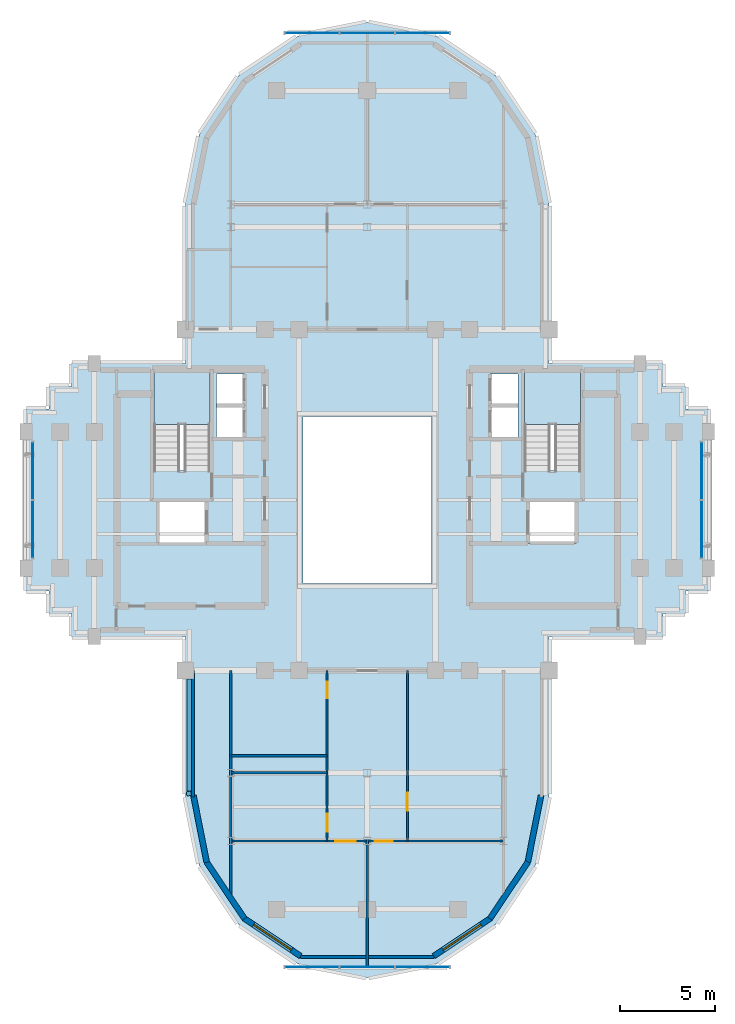
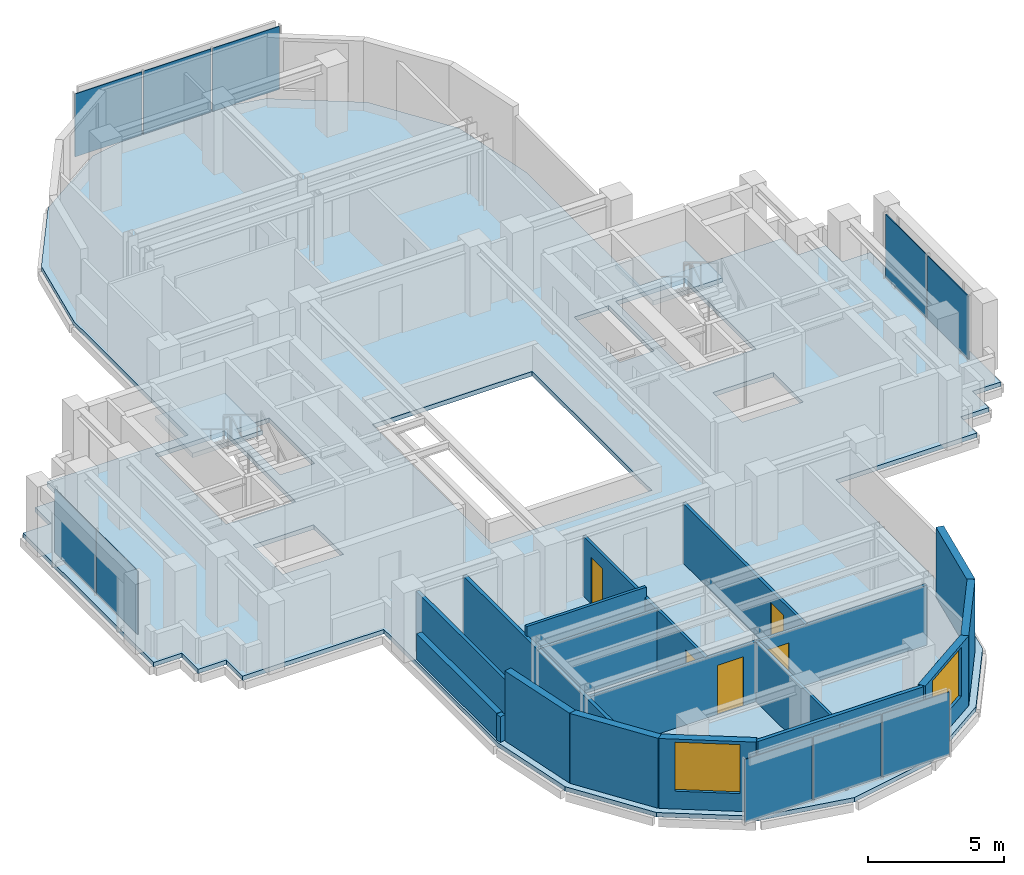
# One storey, part 5 of 11: 17 walls, 10 plates, 5 doors, 3 slabs, 2 windows, 7 openings, 6 elements without a shape of their own.
"""IFC4 building model written with IfcOpenShell, lengths in metres."""

from ifc_helpers import new_model, si_unit, direction, frame, frame_2d, origin, origin_2d, place, context, subcontext, project, spatial, polyline, rectangle, outline, extrude, source, transform, mapped, material, layer, layer_set, type_object, element, fill, aggregate, save


model = new_model("IFC4")

# Units and contexts
model_context = context("Model", 3, precision=1e-05, world=origin(), true_north=direction((0.0, 1.0)))
body_context = subcontext(model_context, "Body", "Model", "MODEL_VIEW")
ifc_project = project(units=[si_unit("LENGTHUNIT", "METRE"), si_unit("AREAUNIT", "SQUARE_METRE"), si_unit("VOLUMEUNIT", "CUBIC_METRE"), si_unit("PLANEANGLEUNIT", "RADIAN"), si_unit("MASSUNIT", "GRAM", prefix="KILO")], contexts=[model_context])

# Site, building, storey
site_placement = place(None, origin())
site = spatial("IfcSite", under=ifc_project, at=site_placement, CompositionType="ELEMENT")
building_placement = place(site_placement, origin())
building = spatial("IfcBuilding", under=site, at=building_placement, Name="Keilestroom Media Tower", CompositionType="ELEMENT")
storey_placement = place(building_placement, frame((0.0, 0.0, 211.39990234375)))
storey = spatial("IfcBuildingStorey", under=building, at=storey_placement, Name="L58", CompositionType="ELEMENT", Elevation=211.39990234375)

# Slab
ifc_material_1 = material(Name="Concrete C50/60", Category="concrete")
ifc_layer_1 = layer(ifc_material_1, 0.199951171875)
ifc_layer_set_1 = layer_set([ifc_layer_1], Name="Concrete C50/60")
slab_type_1 = type_object("IfcSlabType", Name="Composite-Floor-Slab-200", PredefinedType="FLOOR", material=ifc_layer_set_1)
slab_1_placement = place(storey_placement, frame((0.0, 0.0, -0.199951171875)))
element("IfcSlab", 1, at=slab_1_placement, inside=storey, type_object=slab_type_1, Name="L58 Structural Composite Floor Slab", PredefinedType="FLOOR", context=body_context, shape_type="SweptSolid", body=[
    extrude(outline(polyline([(18.0, -4.800048828125), (18.0, 4.800048828125), (16.800048828125, 4.800048828125), (16.800048828125, 6.0), (15.60009765625, 6.0), (15.60009765625, 7.199951171875), (9.60009765625, 7.199951171875), (9.60009765625, 9.60009765625), (9.60009765625, 15.60009765625), (8.869140625, 19.273681640625), (6.7880859375, 22.38818359375), (3.673828125, 24.46923828125), (0.0, 25.199951171875), (-3.673828125, 24.46923828125), (-6.7880859375, 22.38818359375), (-8.869140625, 19.273681640625), (-9.60009765625, 15.60009765625), (-9.60009765625, 9.60009765625), (-9.60009765625, 7.199951171875), (-15.60009765625, 7.199951171875), (-15.60009765625, 6.0), (-16.800048828125, 6.0), (-16.800048828125, 4.800048828125), (-18.0, 4.800048828125), (-18.0, -4.800048828125), (-16.800048828125, -4.800048828125), (-16.800048828125, -6.0), (-15.60009765625, -6.0), (-15.60009765625, -7.199951171875), (-9.60009765625, -7.199951171875), (-9.60009765625, -9.60009765625), (-9.60009765625, -15.60009765625), (-8.869140625, -19.273681640625), (-6.7880859375, -22.38818359375), (-3.673828125, -24.46923828125), (0.0, -25.199951171875), (3.673828125, -24.46923828125), (6.7880859375, -22.38818359375), (8.869140625, -19.273681640625), (9.60009765625, -15.60009765625), (9.60009765625, -9.60009765625), (9.60009765625, -7.199951171875), (15.60009765625, -7.199951171875), (15.60009765625, -6.0), (16.800048828125, -6.0), (16.800048828125, -4.800048828125), (18.0, -4.800048828125)]), holes=[polyline([(-8.300048828125, 1.544921875), (-11.260009765625, 1.544921875), (-11.260009765625, 6.760009765625), (-8.300048828125, 6.760009765625), (-8.300048828125, 1.544921875)]), polyline([(-8.47998046875, -2.280029296875), (-11.050048828125, -2.280029296875), (-11.050048828125, -0.10009765625), (-8.47998046875, -0.10009765625), (-8.47998046875, -2.280029296875)]), polyline([(-6.47998046875, 3.300048828125), (-7.949951171875, 3.300048828125), (-7.949951171875, 6.64990234375), (-6.47998046875, 6.64990234375), (-6.47998046875, 3.300048828125)]), polyline([(3.39990234375, -4.39990234375), (-3.39990234375, -4.39990234375), (-3.39990234375, 4.39990234375), (3.39990234375, 4.39990234375), (3.39990234375, -4.39990234375)]), polyline([(7.949951171875, 3.300048828125), (6.47998046875, 3.300048828125), (6.47998046875, 6.64990234375), (7.949951171875, 6.64990234375), (7.949951171875, 3.300048828125)]), polyline([(11.260009765625, 1.544921875), (8.300048828125, 1.544921875), (8.300048828125, 6.760009765625), (11.260009765625, 6.760009765625), (11.260009765625, 1.544921875)]), polyline([(11.050048828125, -2.280029296875), (8.47998046875, -2.280029296875), (8.47998046875, -0.10009765625), (11.050048828125, -0.10009765625), (11.050048828125, -2.280029296875)])]), origin(), (0.0, 0.0, 1.0), 0.199951171875),
])

# Stair, slab
ifc_material_2 = material(Name="Concrete C45/55", Category="concrete")
stair_type = type_object("IfcStairType", Name="Enclosed-Dog-Leg-Stair-ST-CORE", PredefinedType="HALF_TURN_STAIR", material=ifc_material_2)
stair_1_placement = place(storey_placement, origin())
stair_1 = element("IfcStair", 2, at=stair_1_placement, inside=storey, type_object=stair_type, Name="L58 West Core Escape Stair ST-1", PredefinedType="HALF_TURN_STAIR")
ifc_layer_2 = layer(ifc_material_2, 0.199951171875)
ifc_layer_set_2 = layer_set([ifc_layer_2], Name="Concrete C45/55")
slab_type_2 = type_object("IfcSlabType", Name="Stair-Intermediate-And-Top-Landing-Slab-200", PredefinedType="LANDING", material=ifc_layer_set_2)
slab_2_placement = place(storey_placement, frame((0.0, 0.0, 1.5)))
slab_2 = element("IfcSlab", 3, at=slab_2_placement, type_object=slab_type_2, Name="ST-1 landing 1", PredefinedType="LANDING", context=body_context, shape_type="SweptSolid", body=[
    extrude(outline(polyline([(-8.300048828125, 3.99609375), (-8.300048828125, 6.760009765625), (-11.260009765625, 6.760009765625), (-11.260009765625, 3.99609375), (-8.300048828125, 3.99609375)])), origin(), (0.0, 0.0, 1.0), 0.2001953125),
])
aggregate(stair_1, [slab_2])

stair_2_placement = place(storey_placement, origin())
stair_2 = element("IfcStair", 4, at=stair_2_placement, inside=storey, type_object=stair_type, Name="L58 East Core Escape Stair ST-2", PredefinedType="HALF_TURN_STAIR")
slab_3_placement = place(storey_placement, frame((0.0, 0.0, 1.5)))
slab_3 = element("IfcSlab", 5, at=slab_3_placement, type_object=slab_type_2, Name="ST-2 landing 1", PredefinedType="LANDING", context=body_context, shape_type="SweptSolid", body=[
    extrude(outline(polyline([(11.260009765625, 3.99609375), (11.260009765625, 6.760009765625), (8.300048828125, 6.760009765625), (8.300048828125, 3.99609375), (11.260009765625, 3.99609375)])), origin(), (0.0, 0.0, 1.0), 0.2001953125),
])
aggregate(stair_2, [slab_3])

# Curtain wall, plates
ifc_material_3 = material(Name="Anodised Aluminium Alloy", Category="aluminium")
curtain_wall_type_1 = type_object("IfcCurtainWallType", Name="Unitised-Curtain-Wall-CW-6", PredefinedType="NOTDEFINED", material=ifc_material_3)
curtain_wall_1_placement = place(storey_placement, origin())
curtain_wall_1 = element("IfcCurtainWall", 6, at=curtain_wall_1_placement, inside=storey, type_object=curtain_wall_type_1, Name="L58 Curtain Wall CW-6 CW-L58-LN-1", PredefinedType="NOTDEFINED")
ifc_material_4 = material(Name="Curved-Facet Triple Glazed Unit", Category="glass")
ifc_layer_3 = layer(ifc_material_4, 0.033935546875)
ifc_layer_set_3 = layer_set([ifc_layer_3], Name="Curved-Facet Triple Glazed Unit")
plate_type_1 = type_object("IfcPlateType", Name="Insulated-Curtain-Wall-Glazing-Panel-CW-6", PredefinedType="CURTAIN_PANEL", material=ifc_layer_set_3)
shared_shape_1 = source(origin(), body_context, "Body", "SweptSolid", [
    extrude(rectangle(XDim=2.84375, YDim=0.033935546875, at=origin_2d()), origin(), (0.0, 0.0, 1.0), 2.833984375),
])
plate_1_placement = place(storey_placement, frame((-2.9169921875, 24.64990234375, 0.072998046875), z_axis=(0.0, 0.0, 1.0), x_axis=(1.0, 0.0, 0.0)))
plate_1 = element("IfcPlate", 7, at=plate_1_placement, type_object=plate_type_1, Name="CW-6 Unitised Glazing 00", PredefinedType="CURTAIN_PANEL", context=body_context, shape_type="MappedRepresentation", body=[
    mapped(shared_shape_1, transform((0.0, 0.0, 0.0), x_axis=(1.0, 0.0, 0.0), y_axis=(0.0, 1.0, 0.0), z_axis=(0.0, 0.0, 1.0), scale=1.0)),
])
plate_2_placement = place(storey_placement, frame((2.9169921875, 24.64990234375, 0.072998046875), z_axis=(0.0, 0.0, 1.0), x_axis=(1.0, 0.0, 0.0)))
plate_2 = element("IfcPlate", 8, at=plate_2_placement, type_object=plate_type_1, Name="CW-6 Unitised Glazing 02", PredefinedType="CURTAIN_PANEL", context=body_context, shape_type="MappedRepresentation", body=[
    mapped(shared_shape_1, transform((0.0, 0.0, 0.0), x_axis=(1.0, 0.0, 0.0), y_axis=(0.0, 1.0, 0.0), z_axis=(0.0, 0.0, 1.0), scale=1.0)),
])

curtain_wall_2_placement = place(storey_placement, origin())
curtain_wall_2 = element("IfcCurtainWall", 9, at=curtain_wall_2_placement, inside=storey, type_object=curtain_wall_type_1, Name="L58 Curtain Wall CW-6 CW-L58-LS-1", PredefinedType="NOTDEFINED")
plate_3_placement = place(storey_placement, frame((-2.9169921875, -24.64990234375, 0.072998046875), z_axis=(0.0, 0.0, 1.0), x_axis=(1.0, 0.0, 0.0)))
plate_3 = element("IfcPlate", 10, at=plate_3_placement, type_object=plate_type_1, Name="CW-6 Unitised Glazing 00", PredefinedType="CURTAIN_PANEL", context=body_context, shape_type="MappedRepresentation", body=[
    mapped(shared_shape_1, transform((0.0, 0.0, 0.0), x_axis=(1.0, 0.0, 0.0), y_axis=(0.0, 1.0, 0.0), z_axis=(0.0, 0.0, 1.0), scale=1.0)),
])
plate_4_placement = place(storey_placement, frame((2.9169921875, -24.64990234375, 0.072998046875), z_axis=(0.0, 0.0, 1.0), x_axis=(1.0, 0.0, 0.0)))
plate_4 = element("IfcPlate", 11, at=plate_4_placement, type_object=plate_type_1, Name="CW-6 Unitised Glazing 02", PredefinedType="CURTAIN_PANEL", context=body_context, shape_type="MappedRepresentation", body=[
    mapped(shared_shape_1, transform((0.0, 0.0, 0.0), x_axis=(1.0, 0.0, 0.0), y_axis=(0.0, 1.0, 0.0), z_axis=(0.0, 0.0, 1.0), scale=1.0)),
])

# Plate
shared_shape_2 = source(origin(), body_context, "Body", "SweptSolid", [
    extrude(rectangle(XDim=2.876220703125, YDim=0.033935546875, at=origin_2d()), origin(), (0.0, 0.0, 1.0), 2.833984375),
])
plate_5_placement = place(storey_placement, frame((0.0, 24.64990234375, 0.072998046875), z_axis=(0.0, 0.0, 1.0), x_axis=(1.0, 0.0, 0.0)))
plate_5 = element("IfcPlate", 12, at=plate_5_placement, type_object=plate_type_1, Name="CW-6 Unitised Glazing 01", PredefinedType="CURTAIN_PANEL", context=body_context, shape_type="MappedRepresentation", body=[
    mapped(shared_shape_2, transform((0.0, 0.0, 0.0), x_axis=(1.0, 0.0, 0.0), y_axis=(0.0, 1.0, 0.0), z_axis=(0.0, 0.0, 1.0), scale=1.0)),
])

aggregate(curtain_wall_1, [plate_1, plate_5, plate_2])

plate_6_placement = place(storey_placement, frame((0.0, -24.64990234375, 0.072998046875), z_axis=(0.0, 0.0, 1.0), x_axis=(1.0, 0.0, 0.0)))
plate_6 = element("IfcPlate", 13, at=plate_6_placement, type_object=plate_type_1, Name="CW-6 Unitised Glazing 01", PredefinedType="CURTAIN_PANEL", context=body_context, shape_type="MappedRepresentation", body=[
    mapped(shared_shape_2, transform((0.0, 0.0, 0.0), x_axis=(1.0, 0.0, 0.0), y_axis=(0.0, 1.0, 0.0), z_axis=(0.0, 0.0, 1.0), scale=1.0)),
])

aggregate(curtain_wall_2, [plate_3, plate_6, plate_4])

# Curtain wall, plates
curtain_wall_type_2 = type_object("IfcCurtainWallType", Name="Unitised-Curtain-Wall-CW-3", PredefinedType="NOTDEFINED", material=ifc_material_3)
curtain_wall_3_placement = place(storey_placement, origin())
curtain_wall_3 = element("IfcCurtainWall", 14, at=curtain_wall_3_placement, inside=storey, type_object=curtain_wall_type_2, Name="L58 Curtain Wall CW-3 CW-L58-W-1", PredefinedType="NOTDEFINED")
ifc_material_5 = material(Name="Triple Glazed Acoustic Low-E Unit", Category="glass")
ifc_layer_4 = layer(ifc_material_5, 0.0380859375)
ifc_layer_set_4 = layer_set([ifc_layer_4], Name="Triple Glazed Acoustic Low-E Unit")
plate_type_2 = type_object("IfcPlateType", Name="Insulated-Curtain-Wall-Glazing-Panel-CW-3", PredefinedType="CURTAIN_PANEL", material=ifc_layer_set_4)
shared_shape_3 = source(origin(), body_context, "Body", "SweptSolid", [
    extrude(rectangle(XDim=3.025390625, YDim=0.0380859375, at=origin_2d()), origin(), (0.0, 0.0, 1.0), 2.833984375),
])
plate_7_placement = place(storey_placement, frame((-17.64990234375, -1.541259765625, 0.072998046875), z_axis=(0.0, 0.0, 1.0), x_axis=(0.0, 1.0, 0.0)))
plate_7 = element("IfcPlate", 15, at=plate_7_placement, type_object=plate_type_2, Name="CW-3 Unitised Glazing 00", PredefinedType="CURTAIN_PANEL", context=body_context, shape_type="MappedRepresentation", body=[
    mapped(shared_shape_3, transform((0.0, 0.0, 0.0), x_axis=(1.0, 0.0, 0.0), y_axis=(0.0, 1.0, 0.0), z_axis=(0.0, 0.0, 1.0), scale=1.0)),
])
plate_8_placement = place(storey_placement, frame((-17.64990234375, 1.541259765625, 0.072998046875), z_axis=(0.0, 0.0, 1.0), x_axis=(0.0, 1.0, 0.0)))
plate_8 = element("IfcPlate", 16, at=plate_8_placement, type_object=plate_type_2, Name="CW-3 Unitised Glazing 01", PredefinedType="CURTAIN_PANEL", context=body_context, shape_type="MappedRepresentation", body=[
    mapped(shared_shape_3, transform((0.0, 0.0, 0.0), x_axis=(1.0, 0.0, 0.0), y_axis=(0.0, 1.0, 0.0), z_axis=(0.0, 0.0, 1.0), scale=1.0)),
])
aggregate(curtain_wall_3, [plate_7, plate_8])

curtain_wall_4_placement = place(storey_placement, origin())
curtain_wall_4 = element("IfcCurtainWall", 17, at=curtain_wall_4_placement, inside=storey, type_object=curtain_wall_type_2, Name="L58 Curtain Wall CW-3 CW-L58-E-1", PredefinedType="NOTDEFINED")
plate_9_placement = place(storey_placement, frame((17.64990234375, -1.541259765625, 0.072998046875), z_axis=(0.0, 0.0, 1.0), x_axis=(0.0, 1.0, 0.0)))
plate_9 = element("IfcPlate", 18, at=plate_9_placement, type_object=plate_type_2, Name="CW-3 Unitised Glazing 00", PredefinedType="CURTAIN_PANEL", context=body_context, shape_type="MappedRepresentation", body=[
    mapped(shared_shape_3, transform((0.0, 0.0, 0.0), x_axis=(1.0, 0.0, 0.0), y_axis=(0.0, 1.0, 0.0), z_axis=(0.0, 0.0, 1.0), scale=1.0)),
])
plate_10_placement = place(storey_placement, frame((17.64990234375, 1.541259765625, 0.072998046875), z_axis=(0.0, 0.0, 1.0), x_axis=(0.0, 1.0, 0.0)))
plate_10 = element("IfcPlate", 19, at=plate_10_placement, type_object=plate_type_2, Name="CW-3 Unitised Glazing 01", PredefinedType="CURTAIN_PANEL", context=body_context, shape_type="MappedRepresentation", body=[
    mapped(shared_shape_3, transform((0.0, 0.0, 0.0), x_axis=(1.0, 0.0, 0.0), y_axis=(0.0, 1.0, 0.0), z_axis=(0.0, 0.0, 1.0), scale=1.0)),
])
aggregate(curtain_wall_4, [plate_9, plate_10])

# Walls
ifc_material_6 = material(Name="Precast concrete C40/50", Category="concrete")
ifc_layer_5 = layer(ifc_material_6, 0.300048828125)
ifc_layer_set_5 = layer_set([ifc_layer_5], Name="Precast concrete C40/50")
wall_type_1 = type_object("IfcWallType", Name="Exterior-Masonry-Spandrel-Wall-300", PredefinedType="SOLIDWALL", material=ifc_layer_set_5)
for number, where, z_axis, x_axis, name in (
    (20, (-9.1748046875, -15.585205078125, 0.0), (0.0, 0.0, 1.0), (0.195114232679, -0.980780523974, 0.0), "L58 Lobe Facet Precast Frame Wall 07"),
    (21, (-8.48193359375, -19.097412109375, 0.0), (0.0, 0.0, 1.0), (0.555574187116, -0.831466970246, 0.0), "L58 Lobe Facet Precast Frame Wall 08"),
):
    element("IfcWall", number, at=place(storey_placement, frame(where, z_axis=z_axis, x_axis=x_axis)), inside=storey, type_object=wall_type_1, Name=name, PredefinedType="SOLIDWALL", context=body_context, shape_type="SweptSolid", body=[
        extrude(rectangle(XDim=3.608642578125, YDim=0.300048828125, at=frame_2d((1.80419921875, 0.0))), origin(), (0.0, 0.0, 1.0), 3.14013671875),
    ])

# Wall, opening, window
wall_1_placement = place(storey_placement, frame((-6.497802734375, -22.0771484375, 0.0), z_axis=(0.0, 0.0, 1.0), x_axis=(0.8314749531, -0.555562239868, 0.0)))
wall_1 = element("IfcWall", 22, at=wall_1_placement, inside=storey, type_object=wall_type_1, Name="L58 Lobe Facet Precast Frame Wall 09", PredefinedType="SOLIDWALL", context=body_context, shape_type="SweptSolid", body=[
    extrude(rectangle(XDim=3.59326171875, YDim=0.300048828125, at=frame_2d((1.796630859375, 0.0))), origin(), (0.0, 0.0, 1.0), 3.14013671875),
])
opening_1_placement = place(wall_1_placement, frame((0.596923828125, 0.0, 0.800048828125)))
opening_1 = element("IfcOpeningElement", 23, at=opening_1_placement, cuts=wall_1, Name="Opening WN-02", PredefinedType="OPENING", context=body_context, shape_type="SweptSolid", body=[
    extrude(rectangle(XDim=2.39990234375, YDim=2.199951171875, at=frame_2d((1.199951171875, 1.10009765625))), frame((0.0, 0.16015625, 0.0), z_axis=(0.0, -1.0, 0.0), x_axis=(1.0, 0.0, 0.0)), (0.0, 0.0, 1.0), 0.320068359375),
])
ifc_material_7 = material(Name="Triple Glazed Low-E Window Unit", Category="glass")
window_type = type_object("IfcWindowType", Name="Recessed-Punched-Window-WN-02", PartitioningType="DOUBLE_PANEL_VERTICAL", PredefinedType="WINDOW", material=ifc_material_7)
shared_shape_4 = source(origin(), body_context, "Body", "SweptSolid", [
    extrude(rectangle(XDim=2.39990234375, YDim=2.199951171875, at=frame_2d((1.199951171875, 1.10009765625))), frame((0.0, 0.030029296875, 0.0), z_axis=(0.0, -1.0, 0.0), x_axis=(1.0, 0.0, 0.0)), (0.0, 0.0, 1.0), 0.06005859375),
])
window_1_placement = place(opening_1_placement, origin())
window_1 = element("IfcWindow", 24, at=window_1_placement, inside=storey, type_object=window_type, Name="L58 Bedroom Lobe Window WN-02 EWL-L58-LCHK-09", OverallHeight=2.199951171875, OverallWidth=2.39990234375, PartitioningType="SINGLE_PANEL", PredefinedType="WINDOW", context=body_context, shape_type="MappedRepresentation", body=[
    mapped(shared_shape_4, transform((0.0, 0.0, 0.0), x_axis=(1.0, 0.0, 0.0), y_axis=(0.0, 1.0, 0.0), z_axis=(0.0, 0.0, 1.0), scale=1.0)),
])
fill(opening_1, window_1)

wall_2_placement = place(storey_placement, frame((3.510009765625, -24.073486328125, 0.0), z_axis=(0.0, 0.0, 1.0), x_axis=(0.8314749531, 0.555562239868, 0.0)))
wall_2 = element("IfcWall", 25, at=wall_2_placement, inside=storey, type_object=wall_type_1, Name="L58 Lobe Facet Precast Frame Wall 10", PredefinedType="SOLIDWALL", context=body_context, shape_type="SweptSolid", body=[
    extrude(rectangle(XDim=3.59326171875, YDim=0.300048828125, at=frame_2d((1.796630859375, 0.0))), origin(), (0.0, 0.0, 1.0), 3.14013671875),
])
opening_2_placement = place(wall_2_placement, frame((0.596923828125, 0.0, 0.800048828125)))
opening_2 = element("IfcOpeningElement", 26, at=opening_2_placement, cuts=wall_2, Name="Opening WN-02", PredefinedType="OPENING", context=body_context, shape_type="SweptSolid", body=[
    extrude(rectangle(XDim=2.39990234375, YDim=2.199951171875, at=frame_2d((1.199951171875, 1.10009765625))), frame((0.0, 0.16015625, 0.0), z_axis=(0.0, -1.0, 0.0), x_axis=(1.0, 0.0, 0.0)), (0.0, 0.0, 1.0), 0.320068359375),
])
window_2_placement = place(opening_2_placement, origin())
window_2 = element("IfcWindow", 27, at=window_2_placement, inside=storey, type_object=window_type, Name="L58 Bedroom Lobe Window WN-02 EWL-L58-LCHK-10", OverallHeight=2.199951171875, OverallWidth=2.39990234375, PartitioningType="SINGLE_PANEL", PredefinedType="WINDOW", context=body_context, shape_type="MappedRepresentation", body=[
    mapped(shared_shape_4, transform((0.0, 0.0, 0.0), x_axis=(1.0, 0.0, 0.0), y_axis=(0.0, 1.0, 0.0), z_axis=(0.0, 0.0, 1.0), scale=1.0)),
])
fill(opening_2, window_2)

# Walls
for number, where, z_axis, x_axis, name in (
    (28, (6.47705078125, -22.097900390625, 0.0), (0.0, 0.0, 1.0), (0.555574187116, 0.831466970246, 0.0), "L58 Lobe Facet Precast Frame Wall 11"),
    (29, (8.470703125, -19.12451171875, 0.0), (0.0, 0.0, 1.0), (0.195114232679, 0.980780523974, 0.0), "L58 Lobe Facet Precast Frame Wall 12"),
):
    element("IfcWall", number, at=place(storey_placement, frame(where, z_axis=z_axis, x_axis=x_axis)), inside=storey, type_object=wall_type_1, Name=name, PredefinedType="SOLIDWALL", context=body_context, shape_type="SweptSolid", body=[
        extrude(rectangle(XDim=3.608642578125, YDim=0.300048828125, at=frame_2d((1.80419921875, 0.0))), origin(), (0.0, 0.0, 1.0), 3.14013671875),
    ])

# Wall, openings, doors
ifc_material_8 = material(Name="Gypsum Plasterboard & Steel Stud", Category="steel")
ifc_layer_6 = layer(ifc_material_8, 0.1201171875)
ifc_layer_set_6 = layer_set([ifc_layer_6], Name="Gypsum Plasterboard & Steel Stud")
wall_type_2 = type_object("IfcWallType", Name="Interior-Partition-Wall-120", PredefinedType="PARTITIONING", material=ifc_layer_set_6)
wall_3_placement = place(storey_placement, frame((-2.1201171875, -18.0, 0.0), z_axis=(0.0, 0.0, 1.0), x_axis=(0.0, 1.0, 0.0)))
wall_3 = element("IfcWall", 30, at=wall_3_placement, inside=storey, type_object=wall_type_2, Name="L58 Interior Wall WP-L58-FW-S-HW", PredefinedType="PARTITIONING", context=body_context, shape_type="SweptSolid", body=[
    extrude(rectangle(XDim=9.0, YDim=0.1201171875, at=frame_2d((4.5, 0.0))), origin(), (0.0, 0.0, 1.0), 2.690185546875),
])
opening_3_placement = place(wall_3_placement, frame((7.550048828125, 0.0, 0.0)))
opening_3 = element("IfcOpeningElement", 31, at=opening_3_placement, cuts=wall_3, Name="Opening DI-05", PredefinedType="OPENING", context=body_context, shape_type="SweptSolid", body=[
    extrude(rectangle(XDim=0.85009765625, YDim=2.10009765625, at=frame_2d((0.425048828125, 1.050048828125))), frame((0.0, 0.070068359375, 0.0), z_axis=(0.0, -1.0, 0.0), x_axis=(1.0, 0.0, 0.0)), (0.0, 0.0, 1.0), 0.14013671875),
])
opening_4_placement = place(wall_3_placement, frame((0.5, 0.0, 0.0)))
opening_4 = element("IfcOpeningElement", 32, at=opening_4_placement, cuts=wall_3, Name="Opening DI-03", PredefinedType="OPENING", context=body_context, shape_type="SweptSolid", body=[
    extrude(rectangle(XDim=0.949951171875, YDim=2.14990234375, at=frame_2d((0.47509765625, 1.074951171875))), frame((0.0, 0.070068359375, 0.0), z_axis=(0.0, -1.0, 0.0), x_axis=(1.0, 0.0, 0.0)), (0.0, 0.0, 1.0), 0.14013671875),
])
ifc_material_9 = material(Name="Lacquered European Oak Leaf", Category="wood")
door_type_1 = type_object("IfcDoorType", Name="Interior-Room-And-Suite-Door-DI-03", OperationType="NOTDEFINED", PredefinedType="DOOR", material=ifc_material_9)
shared_shape_5 = source(origin(), body_context, "Body", "SweptSolid", [
    extrude(rectangle(XDim=0.949951171875, YDim=2.14990234375, at=frame_2d((0.47509765625, 1.074951171875))), frame((0.0, 0.02490234375, 0.0), z_axis=(0.0, -1.0, 0.0), x_axis=(1.0, 0.0, 0.0)), (0.0, 0.0, 1.0), 0.050048828125),
])
door_1_placement = place(opening_4_placement, origin())
door_1 = element("IfcDoor", 33, at=door_1_placement, inside=storey, type_object=door_type_1, Name="L58 Interior Door DI-L58-DFBD2-S", OperationType="SINGLE_SWING_RIGHT", OverallHeight=2.14990234375, OverallWidth=0.949951171875, PredefinedType="DOOR", context=body_context, shape_type="MappedRepresentation", body=[
    mapped(shared_shape_5, transform((0.0, 0.0, 0.0), x_axis=(1.0, 0.0, 0.0), y_axis=(0.0, 1.0, 0.0), z_axis=(0.0, 0.0, 1.0), scale=1.0)),
])
fill(opening_4, door_1)
ifc_material_10 = material(Name="Moisture-Resistant Oak Leaf", Category="wood")
door_type_2 = type_object("IfcDoorType", Name="Interior-En-Suite-And-Cupboard-Door-DI-05", OperationType="NOTDEFINED", PredefinedType="DOOR", material=ifc_material_10)
shared_shape_6 = source(origin(), body_context, "Body", "SweptSolid", [
    extrude(rectangle(XDim=0.85009765625, YDim=2.10009765625, at=frame_2d((0.425048828125, 1.050048828125))), frame((0.0, 0.02490234375, 0.0), z_axis=(0.0, -1.0, 0.0), x_axis=(1.0, 0.0, 0.0)), (0.0, 0.0, 1.0), 0.050048828125),
])
door_2_placement = place(opening_3_placement, origin())
door_2 = element("IfcDoor", 34, at=door_2_placement, inside=storey, type_object=door_type_2, Name="L58 Interior Door DI-L58-DFBTH-S", OperationType="SINGLE_SWING_LEFT", OverallHeight=2.10009765625, OverallWidth=0.85009765625, PredefinedType="DOOR", context=body_context, shape_type="MappedRepresentation", body=[
    mapped(shared_shape_6, transform((0.0, 0.0, 0.0), x_axis=(1.0, 0.0, 0.0), y_axis=(0.0, 1.0, 0.0), z_axis=(0.0, 0.0, 1.0), scale=1.0)),
])
fill(opening_3, door_2)

# Wall
wall_4_placement = place(storey_placement, frame((-7.199951171875, -13.5, 0.0), z_axis=(0.0, 0.0, 1.0), x_axis=(1.0, 0.0, 0.0)))
element("IfcWall", 35, at=wall_4_placement, inside=storey, type_object=wall_type_2, Name="L58 Interior Wall WP-L58-FW-S-HB", PredefinedType="PARTITIONING", context=body_context, shape_type="SweptSolid", body=[
    extrude(rectangle(XDim=5.079833984375, YDim=0.1201171875, at=frame_2d((2.5400390625, 0.0))), origin(), (0.0, 0.0, 1.0), 3.14013671875),
])

# Wall, opening, door
wall_5_placement = place(storey_placement, frame((2.1201171875, -18.0, 0.0), z_axis=(0.0, 0.0, 1.0), x_axis=(0.0, 1.0, 0.0)))
wall_5 = element("IfcWall", 36, at=wall_5_placement, inside=storey, type_object=wall_type_2, Name="L58 Interior Wall WP-L58-FW-S-HE", PredefinedType="PARTITIONING", context=body_context, shape_type="SweptSolid", body=[
    extrude(rectangle(XDim=9.0, YDim=0.1201171875, at=frame_2d((4.5, 0.0))), origin(), (0.0, 0.0, 1.0), 2.690185546875),
])
opening_5_placement = place(wall_5_placement, frame((1.60009765625, 0.0, 0.0)))
opening_5 = element("IfcOpeningElement", 37, at=opening_5_placement, cuts=wall_5, Name="Opening DI-03", PredefinedType="OPENING", context=body_context, shape_type="SweptSolid", body=[
    extrude(rectangle(XDim=0.949951171875, YDim=2.14990234375, at=frame_2d((0.47509765625, 1.074951171875))), frame((0.0, 0.070068359375, 0.0), z_axis=(0.0, -1.0, 0.0), x_axis=(1.0, 0.0, 0.0)), (0.0, 0.0, 1.0), 0.14013671875),
])
door_3_placement = place(opening_5_placement, origin())
door_3 = element("IfcDoor", 38, at=door_3_placement, inside=storey, type_object=door_type_1, Name="L58 Interior Door DI-L58-DFKIT-S", OperationType="SINGLE_SWING_LEFT", OverallHeight=2.14990234375, OverallWidth=0.949951171875, PredefinedType="DOOR", context=body_context, shape_type="MappedRepresentation", body=[
    mapped(shared_shape_5, transform((0.0, 0.0, 0.0), x_axis=(1.0, 0.0, 0.0), y_axis=(0.0, 1.0, 0.0), z_axis=(0.0, 0.0, 1.0), scale=1.0)),
])
fill(opening_5, door_3)

# Wall, openings, doors
wall_6_placement = place(storey_placement, frame((-7.199951171875, -18.0, 0.0), z_axis=(0.0, 0.0, 1.0), x_axis=(1.0, 0.0, 0.0)))
wall_6 = element("IfcWall", 39, at=wall_6_placement, inside=storey, type_object=wall_type_2, Name="L58 Interior Wall WP-L58-FW-S-MID", PredefinedType="PARTITIONING", context=body_context, shape_type="SweptSolid", body=[
    extrude(rectangle(XDim=14.39990234375, YDim=0.1201171875, at=frame_2d((7.199951171875, 0.0))), origin(), (0.0, 0.0, 1.0), 2.690185546875),
])
opening_6_placement = place(wall_6_placement, frame((5.5, 0.0, 0.0)))
opening_6 = element("IfcOpeningElement", 40, at=opening_6_placement, cuts=wall_6, Name="Opening DI-04", PredefinedType="OPENING", context=body_context, shape_type="SweptSolid", body=[
    extrude(rectangle(XDim=1.10009765625, YDim=2.199951171875, at=frame_2d((0.550048828125, 1.10009765625))), frame((0.0, 0.070068359375, 0.0), z_axis=(0.0, -1.0, 0.0), x_axis=(1.0, 0.0, 0.0)), (0.0, 0.0, 1.0), 0.14013671875),
])
opening_7_placement = place(wall_6_placement, frame((7.60009765625, 0.0, 0.0)))
opening_7 = element("IfcOpeningElement", 41, at=opening_7_placement, cuts=wall_6, Name="Opening DI-03", PredefinedType="OPENING", context=body_context, shape_type="SweptSolid", body=[
    extrude(rectangle(XDim=0.949951171875, YDim=2.14990234375, at=frame_2d((0.47509765625, 1.074951171875))), frame((0.0, 0.070068359375, 0.0), z_axis=(0.0, -1.0, 0.0), x_axis=(1.0, 0.0, 0.0)), (0.0, 0.0, 1.0), 0.14013671875),
])
door_4_placement = place(opening_7_placement, origin())
door_4 = element("IfcDoor", 42, at=door_4_placement, inside=storey, type_object=door_type_1, Name="L58 Interior Door DI-L58-DFBD1-S", OperationType="SINGLE_SWING_LEFT", OverallHeight=2.14990234375, OverallWidth=0.949951171875, PredefinedType="DOOR", context=body_context, shape_type="MappedRepresentation", body=[
    mapped(shared_shape_5, transform((0.0, 0.0, 0.0), x_axis=(1.0, 0.0, 0.0), y_axis=(0.0, 1.0, 0.0), z_axis=(0.0, 0.0, 1.0), scale=1.0)),
])
fill(opening_7, door_4)
ifc_material_11 = material(Name="Acoustic Glazed Aluminium Leaf", Category="aluminium")
door_type_3 = type_object("IfcDoorType", Name="Interior-Room-And-Suite-Door-DI-04", OperationType="NOTDEFINED", PredefinedType="DOOR", material=ifc_material_11)
shared_shape_7 = source(origin(), body_context, "Body", "SweptSolid", [
    extrude(rectangle(XDim=1.10009765625, YDim=2.199951171875, at=frame_2d((0.550048828125, 1.10009765625))), frame((0.0, 0.02490234375, 0.0), z_axis=(0.0, -1.0, 0.0), x_axis=(1.0, 0.0, 0.0)), (0.0, 0.0, 1.0), 0.050048828125),
])
door_5_placement = place(opening_6_placement, origin())
door_5 = element("IfcDoor", 43, at=door_5_placement, inside=storey, type_object=door_type_3, Name="L58 Interior Door DI-L58-DFLIV-S", OperationType="SINGLE_SWING_RIGHT", OverallHeight=2.199951171875, OverallWidth=1.10009765625, PredefinedType="DOOR", context=body_context, shape_type="MappedRepresentation", body=[
    mapped(shared_shape_7, transform((0.0, 0.0, 0.0), x_axis=(1.0, 0.0, 0.0), y_axis=(0.0, 1.0, 0.0), z_axis=(0.0, 0.0, 1.0), scale=1.0)),
])
fill(opening_6, door_5)

# Walls
wall_7_placement = place(storey_placement, frame((0.0, -24.64990234375, 0.0), z_axis=(0.0, 0.0, 1.0), x_axis=(0.0, 1.0, 0.0)))
element("IfcWall", 44, at=wall_7_placement, inside=storey, type_object=wall_type_2, Name="L58 Interior Wall WP-L58-FW-S-SP", PredefinedType="PARTITIONING", context=body_context, shape_type="SweptSolid", body=[
    extrude(rectangle(XDim=6.64990234375, YDim=0.1201171875, at=frame_2d((3.324951171875, 0.0))), origin(), (0.0, 0.0, 1.0), 2.690185546875),
])
wall_8_placement = place(storey_placement, frame((-7.199951171875, -14.39990234375, 0.0), z_axis=(0.0, 0.0, 1.0), x_axis=(1.0, 0.0, 0.0)))
element("IfcWall", 45, at=wall_8_placement, inside=storey, type_object=wall_type_2, Name="L58 Interior Wall WP-L58-FW-S-C14", PredefinedType="PARTITIONING", context=body_context, shape_type="SweptSolid", body=[
    extrude(rectangle(XDim=5.079833984375, YDim=0.1201171875, at=frame_2d((2.5400390625, 0.0))), origin(), (0.0, 0.0, 1.0), 2.690185546875),
])
ifc_layer_7 = layer(ifc_material_8, 0.14990234375)
ifc_layer_set_7 = layer_set([ifc_layer_7], Name="Gypsum Plasterboard & Steel Stud")
wall_type_3 = type_object("IfcWallType", Name="Interior-Partition-Wall-150", PredefinedType="PARTITIONING", material=ifc_layer_set_7)
wall_9_placement = place(storey_placement, frame((-9.199951171875, -15.679931640625, 0.0), z_axis=(0.0, 0.0, 1.0), x_axis=(0.0, 1.0, 0.0)))
element("IfcWall", 46, at=wall_9_placement, inside=storey, type_object=wall_type_3, Name="L58 Interior Wall WP-L58-SL-CHKW", PredefinedType="PARTITIONING", context=body_context, shape_type="SweptSolid", body=[
    extrude(rectangle(XDim=6.679931640625, YDim=0.14990234375, at=frame_2d((3.33984375, 0.0))), origin(), (0.0, 0.0, 1.0), 2.690185546875),
])
wall_10_placement = place(storey_placement, frame((-7.199951171875, -21.02001953125, 0.0), z_axis=(0.0, 0.0, 1.0), x_axis=(0.0, 1.0, 0.0)))
element("IfcWall", 47, at=wall_10_placement, inside=storey, type_object=wall_type_3, Name="L58 Interior Wall WP-L58-FW-S-VL", PredefinedType="PARTITIONING", context=body_context, shape_type="SweptSolid", body=[
    extrude(rectangle(XDim=12.02001953125, YDim=0.14990234375, at=frame_2d((6.010009765625, 0.0))), origin(), (0.0, 0.0, 1.0), 2.690185546875),
])
wall_11_placement = place(storey_placement, frame((-3.52001953125, -24.1201171875, 0.0), z_axis=(0.0, 0.0, 1.0), x_axis=(1.0, 0.0, 0.0)))
element("IfcWall", 48, at=wall_11_placement, inside=storey, type_object=wall_type_3, Name="L58 Interior Wall WP-L58-FW-S-TIP", PredefinedType="PARTITIONING", context=body_context, shape_type="SweptSolid", body=[
    extrude(rectangle(XDim=7.0400390625, YDim=0.14990234375, at=frame_2d((3.52001953125, 0.0))), origin(), (0.0, 0.0, 1.0), 3.14013671875),
])
ifc_layer_8 = layer(ifc_material_6, 0.239990234375)
ifc_layer_set_8 = layer_set([ifc_layer_8], Name="Precast concrete C40/50")
wall_type_4 = type_object("IfcWallType", Name="Roof-And-Terrace-Parapet-Wall-240", PredefinedType="PARAPET", material=ifc_layer_set_8)
wall_12_placement = place(storey_placement, frame((-9.395263671875, -15.604248046875, 0.0), z_axis=(0.0, 0.0, 1.0), x_axis=(-0.194652052864, 0.980872355771, 0.0)))
element("IfcWall", 49, at=wall_12_placement, inside=storey, type_object=wall_type_4, Name="L58 Perimeter Edge Parapet Wall 09", PredefinedType="PARAPET", context=body_context, shape_type="SweptSolid", body=[
    extrude(rectangle(XDim=0.224609375, YDim=0.239990234375, at=frame_2d((0.1123046875, 0.0))), origin(), (0.0, 0.0, 1.0), 1.150146484375),
])
wall_13_placement = place(storey_placement, frame((-9.39990234375, -15.357666015625, 0.0), z_axis=(0.0, 0.0, 1.0), x_axis=(0.0, 1.0, 0.0)))
element("IfcWall", 50, at=wall_13_placement, inside=storey, type_object=wall_type_4, Name="L58 Perimeter Edge Parapet Wall 10", PredefinedType="PARAPET", context=body_context, shape_type="SweptSolid", body=[
    extrude(rectangle(XDim=5.90478515625, YDim=0.239990234375, at=frame_2d((2.952392578125, 0.0))), origin(), (0.0, 0.0, 1.0), 1.150146484375),
])

save(model, "model.ifc")
